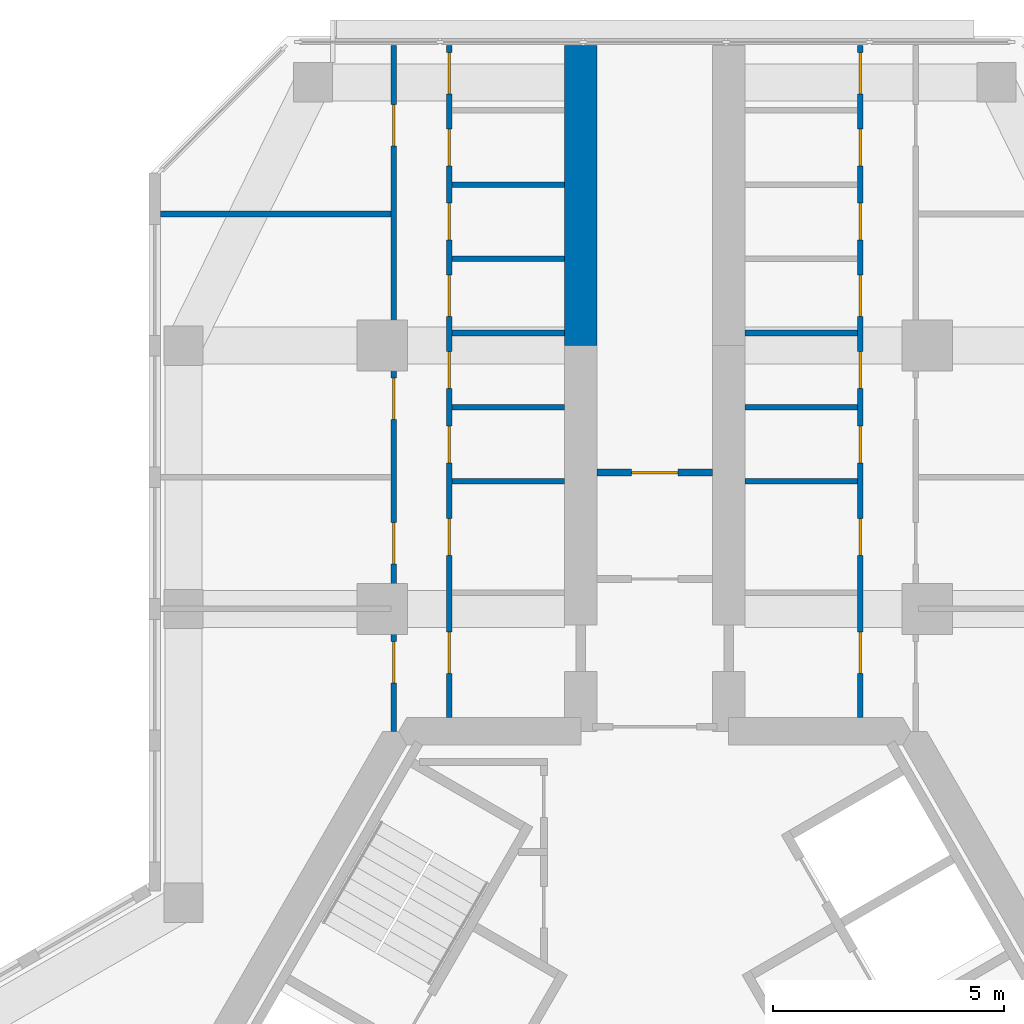
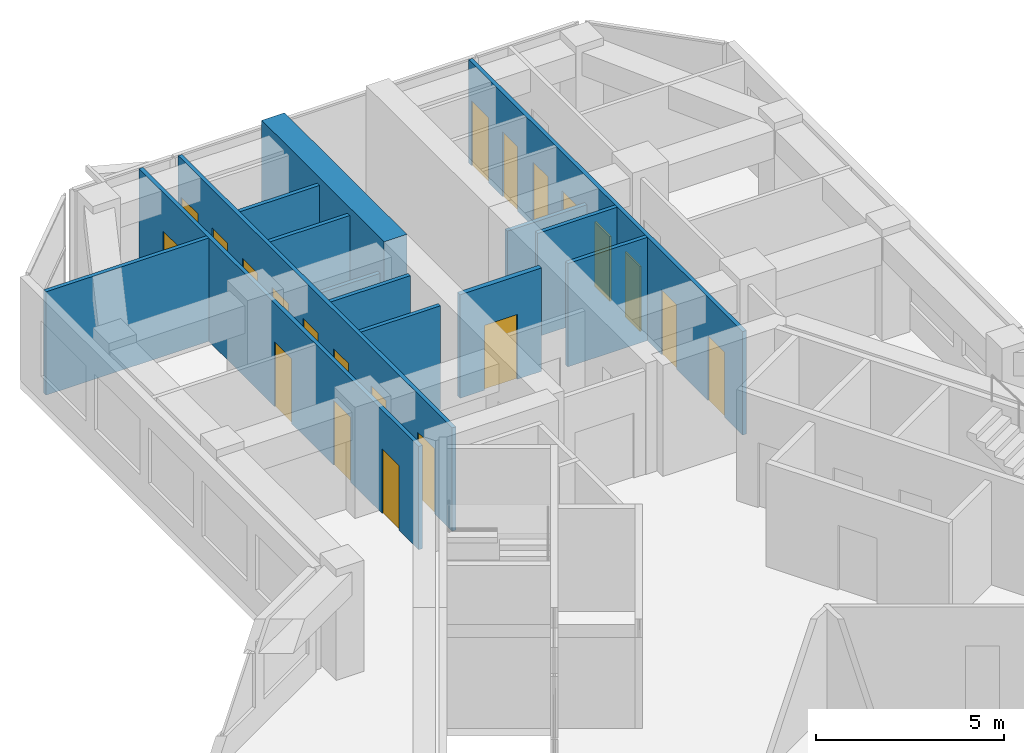
# One storey, part 14 of 16: 21 doors, 14 walls, 21 openings.
"""IFC4 building model written with IfcOpenShell, lengths in metres."""

from ifc_helpers import new_model, si_unit, direction, frame, frame_2d, origin, place, context, subcontext, project, spatial, rectangle, extrude, material, layer, layer_set, type_object, element, fill, save


model = new_model("IFC4")

# Units and contexts
model_context = context("Model", 3, precision=1e-05, world=origin(), true_north=direction((0.0, 1.0)))
body_context = subcontext(model_context, "Body", "Model", "MODEL_VIEW")
ifc_project = project(units=[si_unit("LENGTHUNIT", "METRE"), si_unit("AREAUNIT", "SQUARE_METRE"), si_unit("VOLUMEUNIT", "CUBIC_METRE"), si_unit("PLANEANGLEUNIT", "RADIAN"), si_unit("MASSUNIT", "GRAM", prefix="KILO")], contexts=[model_context])

# Site, building, storey
site_placement = place(None, origin())
site = spatial("IfcSite", under=ifc_project, at=site_placement, CompositionType="ELEMENT")
building_placement = place(site_placement, origin())
building = spatial("IfcBuilding", under=site, at=building_placement, Name="Kosmar Iwan School Tower", CompositionType="ELEMENT")
storey_placement = place(building_placement, frame((0.0, 0.0, 238.800048828125)))
storey = spatial("IfcBuildingStorey", under=building, at=storey_placement, Name="L60", CompositionType="ELEMENT", Elevation=238.800048828125)

# Wall
ifc_material_1 = material(Name="Concrete C50/60", Category="concrete")
ifc_layer_1 = layer(ifc_material_1, 0.699951171875)
ifc_layer_set_1 = layer_set([ifc_layer_1], Name="Corridor buttress wall 700")
wall_type_1 = type_object("IfcWallType", Name="Corridor buttress wall 700", PredefinedType="SHEAR", material=ifc_layer_set_1)
wall_1_placement = place(storey_placement, frame((-1.60009765625, 17.949951171875, 0.0), z_axis=(0.0, 0.0, 1.0), x_axis=(0.0, 1.0, 0.0)))
element("IfcWall", 1, at=wall_1_placement, inside=storey, type_object=wall_type_1, Name="Corridor wall AL bay 2", PredefinedType="SHEAR", context=body_context, shape_type="SweptSolid", body=[
    extrude(rectangle(XDim=6.4951171875, YDim=0.699951171875, at=frame_2d((3.24755859375, 0.0))), origin(), (0.0, 0.0, 1.0), 3.599853515625),
])

# Wall, opening, door
ifc_material_2 = material(Name="Gypsum board on steel studs, fire-rated", Category="steel")
ifc_layer_2 = layer(ifc_material_2, 0.14990234375)
ifc_layer_set_2 = layer_set([ifc_layer_2], Name="Corridor end wall 150")
wall_type_2 = type_object("IfcWallType", Name="Corridor end wall 150", PredefinedType="PARTITIONING", material=ifc_layer_set_2)
wall_2_placement = place(storey_placement, frame((1.25, 15.199951171875, 0.0), z_axis=(0.0, 0.0, 1.0), x_axis=(-1.0, 0.0, 0.0)))
wall_2 = element("IfcWall", 2, at=wall_2_placement, inside=storey, type_object=wall_type_2, Name="Partition L60-A-CE", PredefinedType="PARTITIONING", context=body_context, shape_type="SweptSolid", body=[
    extrude(rectangle(XDim=2.5, YDim=0.14990234375, at=frame_2d((1.25, 0.0))), origin(), (0.0, 0.0, 1.0), 3.349853515625),
])
opening_1_placement = place(wall_2_placement, frame((0.75, 0.0, 0.0)))
opening_1 = element("IfcOpeningElement", 3, at=opening_1_placement, cuts=wall_2, Name="Opening D13", PredefinedType="OPENING", context=body_context, shape_type="SweptSolid", body=[
    extrude(rectangle(XDim=1.0, YDim=2.10009765625, at=frame_2d((0.5, 1.050048828125))), frame((0.0, 0.0869140625, 0.0), z_axis=(0.0, -1.0, 0.0), x_axis=(1.0, 0.0, 0.0)), (0.0, 0.0, 1.0), 0.173828125),
])
ifc_material_3 = material(Name="Timber fire door with vision panel", Category="wood")
door_type_1 = type_object("IfcDoorType", Name="Corridor end door 1000x2100", OperationType="SINGLE_SWING_LEFT", PredefinedType="DOOR", material=ifc_material_3)
door_1_placement = place(opening_1_placement, origin())
door_1 = element("IfcDoor", 4, at=door_1_placement, inside=storey, type_object=door_type_1, Name="Reading room door L60-A", OperationType="SINGLE_SWING_RIGHT", OverallHeight=2.10009765625, OverallWidth=1.0, PredefinedType="DOOR", context=body_context, shape_type="SweptSolid", body=[
    extrude(rectangle(XDim=1.0, YDim=2.10009765625, at=frame_2d((0.5, 1.050048828125))), frame((0.0, 0.02490234375, 0.0), z_axis=(0.0, -1.0, 0.0), x_axis=(1.0, 0.0, 0.0)), (0.0, 0.0, 1.0), 0.050048828125),
])
fill(opening_1, door_1)

# Wall, openings, doors
ifc_material_4 = material(Name="Gypsum board on steel studs", Category="steel")
ifc_layer_3 = layer(ifc_material_4, 0.1201171875)
ifc_layer_set_3 = layer_set([ifc_layer_3], Name="Dwelling partition 120")
wall_type_3 = type_object("IfcWallType", Name="Dwelling partition 120", PredefinedType="PARTITIONING", material=ifc_layer_set_3)
wall_3_placement = place(storey_placement, frame((-4.449951171875, 9.89990234375, 0.0), z_axis=(0.0, 0.0, 1.0), x_axis=(0.0, 1.0, 0.0)))
wall_3 = element("IfcWall", 5, at=wall_3_placement, inside=storey, type_object=wall_type_3, Name="Partition L60-AL1-W1", PredefinedType="PARTITIONING", context=body_context, shape_type="SweptSolid", body=[
    extrude(rectangle(XDim=14.545166015625, YDim=0.1201171875, at=frame_2d((7.2724609375, 0.0))), origin(), (0.0, 0.0, 1.0), 3.349853515625),
])
opening_2_placement = place(wall_3_placement, frame((0.949951171875, 0.0, 0.0)))
opening_2 = element("IfcOpeningElement", 6, at=opening_2_placement, cuts=wall_3, Name="Opening D2", PredefinedType="OPENING", context=body_context, shape_type="SweptSolid", body=[
    extrude(rectangle(XDim=0.89990234375, YDim=2.10009765625, at=frame_2d((0.449951171875, 1.050048828125))), frame((0.0, 0.072021484375, 0.0), z_axis=(0.0, -1.0, 0.0), x_axis=(1.0, 0.0, 0.0)), (0.0, 0.0, 1.0), 0.14404296875),
])
opening_3_placement = place(wall_3_placement, frame((3.505126953125, 0.0, 0.0)))
opening_3 = element("IfcOpeningElement", 7, at=opening_3_placement, cuts=wall_3, Name="Opening D3", PredefinedType="OPENING", context=body_context, shape_type="SweptSolid", body=[
    extrude(rectangle(XDim=0.800048828125, YDim=2.10009765625, at=frame_2d((0.39990234375, 1.050048828125))), frame((0.0, 0.072021484375, 0.0), z_axis=(0.0, -1.0, 0.0), x_axis=(1.0, 0.0, 0.0)), (0.0, 0.0, 1.0), 0.14404296875),
])
opening_4_placement = place(wall_3_placement, frame((5.513427734375, 0.0, 0.0)))
opening_4 = element("IfcOpeningElement", 8, at=opening_4_placement, cuts=wall_3, Name="Opening D3", PredefinedType="OPENING", context=body_context, shape_type="SweptSolid", body=[
    extrude(rectangle(XDim=0.800048828125, YDim=2.10009765625, at=frame_2d((0.39990234375, 1.050048828125))), frame((0.0, 0.072021484375, 0.0), z_axis=(0.0, -1.0, 0.0), x_axis=(1.0, 0.0, 0.0)), (0.0, 0.0, 1.0), 0.14404296875),
])
opening_5_placement = place(wall_3_placement, frame((7.1201171875, 0.0, 0.0)))
opening_5 = element("IfcOpeningElement", 9, at=opening_5_placement, cuts=wall_3, Name="Opening D3", PredefinedType="OPENING", context=body_context, shape_type="SweptSolid", body=[
    extrude(rectangle(XDim=0.800048828125, YDim=2.10009765625, at=frame_2d((0.39990234375, 1.050048828125))), frame((0.0, 0.072021484375, 0.0), z_axis=(0.0, -1.0, 0.0), x_axis=(1.0, 0.0, 0.0)), (0.0, 0.0, 1.0), 0.14404296875),
])
opening_6_placement = place(wall_3_placement, frame((8.6767578125, 0.0, 0.0)))
opening_6 = element("IfcOpeningElement", 10, at=opening_6_placement, cuts=wall_3, Name="Opening D2", PredefinedType="OPENING", context=body_context, shape_type="SweptSolid", body=[
    extrude(rectangle(XDim=0.89990234375, YDim=2.10009765625, at=frame_2d((0.449951171875, 1.050048828125))), frame((0.0, 0.072021484375, 0.0), z_axis=(0.0, -1.0, 0.0), x_axis=(1.0, 0.0, 0.0)), (0.0, 0.0, 1.0), 0.14404296875),
])
opening_7_placement = place(wall_3_placement, frame((10.333251953125, 0.0, 0.0)))
opening_7 = element("IfcOpeningElement", 11, at=opening_7_placement, cuts=wall_3, Name="Opening D3", PredefinedType="OPENING", context=body_context, shape_type="SweptSolid", body=[
    extrude(rectangle(XDim=0.800048828125, YDim=2.10009765625, at=frame_2d((0.39990234375, 1.050048828125))), frame((0.0, 0.072021484375, 0.0), z_axis=(0.0, -1.0, 0.0), x_axis=(1.0, 0.0, 0.0)), (0.0, 0.0, 1.0), 0.14404296875),
])
opening_8_placement = place(wall_3_placement, frame((11.93994140625, 0.0, 0.0)))
opening_8 = element("IfcOpeningElement", 12, at=opening_8_placement, cuts=wall_3, Name="Opening D3", PredefinedType="OPENING", context=body_context, shape_type="SweptSolid", body=[
    extrude(rectangle(XDim=0.800048828125, YDim=2.10009765625, at=frame_2d((0.39990234375, 1.050048828125))), frame((0.0, 0.072021484375, 0.0), z_axis=(0.0, -1.0, 0.0), x_axis=(1.0, 0.0, 0.0)), (0.0, 0.0, 1.0), 0.14404296875),
])
opening_9_placement = place(wall_3_placement, frame((13.49658203125, 0.0, 0.0)))
opening_9 = element("IfcOpeningElement", 13, at=opening_9_placement, cuts=wall_3, Name="Opening D2", PredefinedType="OPENING", context=body_context, shape_type="SweptSolid", body=[
    extrude(rectangle(XDim=0.89990234375, YDim=2.10009765625, at=frame_2d((0.449951171875, 1.050048828125))), frame((0.0, 0.072021484375, 0.0), z_axis=(0.0, -1.0, 0.0), x_axis=(1.0, 0.0, 0.0)), (0.0, 0.0, 1.0), 0.14404296875),
])
ifc_material_5 = material(Name="Timber door in timber frame", Category="wood")
door_type_2 = type_object("IfcDoorType", Name="Internal door 900x2100", OperationType="SINGLE_SWING_LEFT", PredefinedType="DOOR", material=ifc_material_5)
door_2_placement = place(opening_2_placement, origin())
door_2 = element("IfcDoor", 14, at=door_2_placement, inside=storey, type_object=door_type_2, Name="Entrance hall door L60-AL1-S1", OperationType="SINGLE_SWING_LEFT", OverallHeight=2.10009765625, OverallWidth=0.89990234375, PredefinedType="DOOR", context=body_context, shape_type="SweptSolid", body=[
    extrude(rectangle(XDim=0.89990234375, YDim=2.10009765625, at=frame_2d((0.449951171875, 1.050048828125))), frame((0.0, 0.02490234375, 0.0), z_axis=(0.0, -1.0, 0.0), x_axis=(1.0, 0.0, 0.0)), (0.0, 0.0, 1.0), 0.050048828125),
])
fill(opening_2, door_2)
door_3_placement = place(opening_6_placement, origin())
door_3 = element("IfcDoor", 15, at=door_3_placement, inside=storey, type_object=door_type_2, Name="Pantry door L60-AL1-S5", OperationType="SINGLE_SWING_RIGHT", OverallHeight=2.10009765625, OverallWidth=0.89990234375, PredefinedType="DOOR", context=body_context, shape_type="SweptSolid", body=[
    extrude(rectangle(XDim=0.89990234375, YDim=2.10009765625, at=frame_2d((0.449951171875, 1.050048828125))), frame((0.0, 0.02490234375, 0.0), z_axis=(0.0, -1.0, 0.0), x_axis=(1.0, 0.0, 0.0)), (0.0, 0.0, 1.0), 0.050048828125),
])
fill(opening_6, door_3)
door_4_placement = place(opening_9_placement, origin())
door_4 = element("IfcDoor", 16, at=door_4_placement, inside=storey, type_object=door_type_2, Name="Utility room door L60-AL1-S8", OperationType="SINGLE_SWING_RIGHT", OverallHeight=2.10009765625, OverallWidth=0.89990234375, PredefinedType="DOOR", context=body_context, shape_type="SweptSolid", body=[
    extrude(rectangle(XDim=0.89990234375, YDim=2.10009765625, at=frame_2d((0.449951171875, 1.050048828125))), frame((0.0, 0.02490234375, 0.0), z_axis=(0.0, -1.0, 0.0), x_axis=(1.0, 0.0, 0.0)), (0.0, 0.0, 1.0), 0.050048828125),
])
fill(opening_9, door_4)
ifc_material_6 = material(Name="Timber door in timber frame", Category="wood")
door_type_3 = type_object("IfcDoorType", Name="Sanitary room door 800x2100", OperationType="SINGLE_SWING_LEFT", PredefinedType="DOOR", material=ifc_material_6)
door_5_placement = place(opening_3_placement, origin())
door_5 = element("IfcDoor", 17, at=door_5_placement, inside=storey, type_object=door_type_3, Name="Bathroom door L60-AL1-S2", OperationType="SINGLE_SWING_LEFT", OverallHeight=2.10009765625, OverallWidth=0.800048828125, PredefinedType="DOOR", context=body_context, shape_type="SweptSolid", body=[
    extrude(rectangle(XDim=0.800048828125, YDim=2.10009765625, at=frame_2d((0.39990234375, 1.050048828125))), frame((0.0, 0.02490234375, 0.0), z_axis=(0.0, -1.0, 0.0), x_axis=(1.0, 0.0, 0.0)), (0.0, 0.0, 1.0), 0.050048828125),
])
fill(opening_3, door_5)
door_6_placement = place(opening_4_placement, origin())
door_6 = element("IfcDoor", 18, at=door_6_placement, inside=storey, type_object=door_type_3, Name="Grandparents' shower room door L60-AL1-S3", OperationType="SINGLE_SWING_LEFT", OverallHeight=2.10009765625, OverallWidth=0.800048828125, PredefinedType="DOOR", context=body_context, shape_type="SweptSolid", body=[
    extrude(rectangle(XDim=0.800048828125, YDim=2.10009765625, at=frame_2d((0.39990234375, 1.050048828125))), frame((0.0, 0.02490234375, 0.0), z_axis=(0.0, -1.0, 0.0), x_axis=(1.0, 0.0, 0.0)), (0.0, 0.0, 1.0), 0.050048828125),
])
fill(opening_4, door_6)
door_7_placement = place(opening_5_placement, origin())
door_7 = element("IfcDoor", 19, at=door_7_placement, inside=storey, type_object=door_type_3, Name="Shower room door L60-AL1-S4", OperationType="SINGLE_SWING_RIGHT", OverallHeight=2.10009765625, OverallWidth=0.800048828125, PredefinedType="DOOR", context=body_context, shape_type="SweptSolid", body=[
    extrude(rectangle(XDim=0.800048828125, YDim=2.10009765625, at=frame_2d((0.39990234375, 1.050048828125))), frame((0.0, 0.02490234375, 0.0), z_axis=(0.0, -1.0, 0.0), x_axis=(1.0, 0.0, 0.0)), (0.0, 0.0, 1.0), 0.050048828125),
])
fill(opening_5, door_7)
door_8_placement = place(opening_7_placement, origin())
door_8 = element("IfcDoor", 20, at=door_8_placement, inside=storey, type_object=door_type_3, Name="WC door L60-AL1-S6", OperationType="SINGLE_SWING_RIGHT", OverallHeight=2.10009765625, OverallWidth=0.800048828125, PredefinedType="DOOR", context=body_context, shape_type="SweptSolid", body=[
    extrude(rectangle(XDim=0.800048828125, YDim=2.10009765625, at=frame_2d((0.39990234375, 1.050048828125))), frame((0.0, 0.02490234375, 0.0), z_axis=(0.0, -1.0, 0.0), x_axis=(1.0, 0.0, 0.0)), (0.0, 0.0, 1.0), 0.050048828125),
])
fill(opening_7, door_8)
door_9_placement = place(opening_8_placement, origin())
door_9 = element("IfcDoor", 21, at=door_9_placement, inside=storey, type_object=door_type_3, Name="Store door L60-AL1-S7", OperationType="SINGLE_SWING_RIGHT", OverallHeight=2.10009765625, OverallWidth=0.800048828125, PredefinedType="DOOR", context=body_context, shape_type="SweptSolid", body=[
    extrude(rectangle(XDim=0.800048828125, YDim=2.10009765625, at=frame_2d((0.39990234375, 1.050048828125))), frame((0.0, 0.02490234375, 0.0), z_axis=(0.0, -1.0, 0.0), x_axis=(1.0, 0.0, 0.0)), (0.0, 0.0, 1.0), 0.050048828125),
])
fill(opening_8, door_9)

wall_4_placement = place(storey_placement, frame((-5.64990234375, 9.60009765625, 0.0), z_axis=(0.0, 0.0, 1.0), x_axis=(0.0, 1.0, 0.0)))
wall_4 = element("IfcWall", 22, at=wall_4_placement, inside=storey, type_object=wall_type_3, Name="Partition L60-AL1-W2", PredefinedType="PARTITIONING", context=body_context, shape_type="SweptSolid", body=[
    extrude(rectangle(XDim=14.844970703125, YDim=0.1201171875, at=frame_2d((7.42236328125, 0.0))), origin(), (0.0, 0.0, 1.0), 3.349853515625),
])
opening_10_placement = place(wall_4_placement, frame((1.050048828125, 0.0, 0.0)))
opening_10 = element("IfcOpeningElement", 23, at=opening_10_placement, cuts=wall_4, Name="Opening D2", PredefinedType="OPENING", context=body_context, shape_type="SweptSolid", body=[
    extrude(rectangle(XDim=0.89990234375, YDim=2.10009765625, at=frame_2d((0.449951171875, 1.050048828125))), frame((0.0, 0.072021484375, 0.0), z_axis=(0.0, -1.0, 0.0), x_axis=(1.0, 0.0, 0.0)), (0.0, 0.0, 1.0), 0.14404296875),
])
opening_11_placement = place(wall_4_placement, frame((3.625, 0.0, 0.0)))
opening_11 = element("IfcOpeningElement", 24, at=opening_11_placement, cuts=wall_4, Name="Opening D2", PredefinedType="OPENING", context=body_context, shape_type="SweptSolid", body=[
    extrude(rectangle(XDim=0.89990234375, YDim=2.10009765625, at=frame_2d((0.449951171875, 1.050048828125))), frame((0.0, 0.072021484375, 0.0), z_axis=(0.0, -1.0, 0.0), x_axis=(1.0, 0.0, 0.0)), (0.0, 0.0, 1.0), 0.14404296875),
])
opening_12_placement = place(wall_4_placement, frame((6.75, 0.0, 0.0)))
opening_12 = element("IfcOpeningElement", 25, at=opening_12_placement, cuts=wall_4, Name="Opening D2", PredefinedType="OPENING", context=body_context, shape_type="SweptSolid", body=[
    extrude(rectangle(XDim=0.89990234375, YDim=2.10009765625, at=frame_2d((0.449951171875, 1.050048828125))), frame((0.0, 0.072021484375, 0.0), z_axis=(0.0, -1.0, 0.0), x_axis=(1.0, 0.0, 0.0)), (0.0, 0.0, 1.0), 0.14404296875),
])
opening_13_placement = place(wall_4_placement, frame((12.675048828125, 0.0, 0.0)))
opening_13 = element("IfcOpeningElement", 26, at=opening_13_placement, cuts=wall_4, Name="Opening D2", PredefinedType="OPENING", context=body_context, shape_type="SweptSolid", body=[
    extrude(rectangle(XDim=0.89990234375, YDim=2.10009765625, at=frame_2d((0.449951171875, 1.050048828125))), frame((0.0, 0.072021484375, 0.0), z_axis=(0.0, -1.0, 0.0), x_axis=(1.0, 0.0, 0.0)), (0.0, 0.0, 1.0), 0.14404296875),
])
door_10_placement = place(opening_10_placement, origin())
door_10 = element("IfcDoor", 27, at=door_10_placement, inside=storey, type_object=door_type_2, Name="Bedroom 1 door L60-AL1-F1", OperationType="SINGLE_SWING_LEFT", OverallHeight=2.10009765625, OverallWidth=0.89990234375, PredefinedType="DOOR", context=body_context, shape_type="SweptSolid", body=[
    extrude(rectangle(XDim=0.89990234375, YDim=2.10009765625, at=frame_2d((0.449951171875, 1.050048828125))), frame((0.0, 0.02490234375, 0.0), z_axis=(0.0, -1.0, 0.0), x_axis=(1.0, 0.0, 0.0)), (0.0, 0.0, 1.0), 0.050048828125),
])
fill(opening_10, door_10)
door_11_placement = place(opening_11_placement, origin())
door_11 = element("IfcDoor", 28, at=door_11_placement, inside=storey, type_object=door_type_2, Name="Study door L60-AL1-F2", OperationType="SINGLE_SWING_LEFT", OverallHeight=2.10009765625, OverallWidth=0.89990234375, PredefinedType="DOOR", context=body_context, shape_type="SweptSolid", body=[
    extrude(rectangle(XDim=0.89990234375, YDim=2.10009765625, at=frame_2d((0.449951171875, 1.050048828125))), frame((0.0, 0.02490234375, 0.0), z_axis=(0.0, -1.0, 0.0), x_axis=(1.0, 0.0, 0.0)), (0.0, 0.0, 1.0), 0.050048828125),
])
fill(opening_11, door_11)
door_12_placement = place(opening_12_placement, origin())
door_12 = element("IfcDoor", 29, at=door_12_placement, inside=storey, type_object=door_type_2, Name="Living room and kitchen door L60-AL1-F3", OperationType="SINGLE_SWING_LEFT", OverallHeight=2.10009765625, OverallWidth=0.89990234375, PredefinedType="DOOR", context=body_context, shape_type="SweptSolid", body=[
    extrude(rectangle(XDim=0.89990234375, YDim=2.10009765625, at=frame_2d((0.449951171875, 1.050048828125))), frame((0.0, 0.02490234375, 0.0), z_axis=(0.0, -1.0, 0.0), x_axis=(1.0, 0.0, 0.0)), (0.0, 0.0, 1.0), 0.050048828125),
])
fill(opening_12, door_12)
door_13_placement = place(opening_13_placement, origin())
door_13 = element("IfcDoor", 30, at=door_13_placement, inside=storey, type_object=door_type_2, Name="Grandparents' suite door L60-AL1-F4", OperationType="SINGLE_SWING_RIGHT", OverallHeight=2.10009765625, OverallWidth=0.89990234375, PredefinedType="DOOR", context=body_context, shape_type="SweptSolid", body=[
    extrude(rectangle(XDim=0.89990234375, YDim=2.10009765625, at=frame_2d((0.449951171875, 1.050048828125))), frame((0.0, 0.02490234375, 0.0), z_axis=(0.0, -1.0, 0.0), x_axis=(1.0, 0.0, 0.0)), (0.0, 0.0, 1.0), 0.050048828125),
])
fill(opening_13, door_13)

# Walls
wall_5_placement = place(storey_placement, frame((-5.7099609375, 20.800048828125, 0.0), z_axis=(0.0, 0.0, 1.0), x_axis=(-1.0, 0.0, 0.0)))
element("IfcWall", 31, at=wall_5_placement, inside=storey, type_object=wall_type_3, Name="Partition L60-AL1-X3", PredefinedType="PARTITIONING", context=body_context, shape_type="SweptSolid", body=[
    extrude(rectangle(XDim=4.989990234375, YDim=0.1201171875, at=frame_2d((2.4951171875, 0.0))), origin(), (0.0, 0.0, 1.0), 3.349853515625),
])
for number, where, z_axis, x_axis, name in (
    (32, (-1.949951171875, 15.010009765625, 0.0), (0.0, 0.0, 1.0), (-1.0, 0.0, 0.0), "Partition L60-AL1-Y2"),
    (33, (-1.949951171875, 16.61669921875, 0.0), (0.0, 0.0, 1.0), (-1.0, 0.0, 0.0), "Partition L60-AL1-Y3"),
):
    element("IfcWall", number, at=place(storey_placement, frame(where, z_axis=z_axis, x_axis=x_axis)), inside=storey, type_object=wall_type_3, Name=name, PredefinedType="PARTITIONING", context=body_context, shape_type="SweptSolid", body=[
        extrude(rectangle(XDim=2.43994140625, YDim=0.1201171875, at=frame_2d((1.219970703125, 0.0))), origin(), (0.0, 0.0, 1.0), 3.349853515625),
    ])
wall_6_placement = place(storey_placement, frame((-1.949951171875, 18.223388671875, 0.0), z_axis=(0.0, 0.0, 1.0), x_axis=(-1.0, 0.0, 0.0)))
element("IfcWall", 34, at=wall_6_placement, inside=storey, type_object=wall_type_3, Name="Partition L60-AL1-Y4", PredefinedType="PARTITIONING", context=body_context, shape_type="SweptSolid", body=[
    extrude(rectangle(XDim=2.43994140625, YDim=0.1201171875, at=frame_2d((1.219970703125, 0.0))), origin(), (0.0, 0.0, 1.0), 2.449951171875),
])
for number, where, z_axis, x_axis, name in (
    (35, (-1.949951171875, 19.830078125, 0.0), (0.0, 0.0, 1.0), (-1.0, 0.0, 0.0), "Partition L60-AL1-Y5"),
    (36, (-1.949951171875, 21.436767578125, 0.0), (0.0, 0.0, 1.0), (-1.0, 0.0, 0.0), "Partition L60-AL1-Y6"),
):
    element("IfcWall", number, at=place(storey_placement, frame(where, z_axis=z_axis, x_axis=x_axis)), inside=storey, type_object=wall_type_3, Name=name, PredefinedType="PARTITIONING", context=body_context, shape_type="SweptSolid", body=[
        extrude(rectangle(XDim=2.43994140625, YDim=0.1201171875, at=frame_2d((1.219970703125, 0.0))), origin(), (0.0, 0.0, 1.0), 3.349853515625),
    ])

# Wall, openings, doors
wall_7_placement = place(storey_placement, frame((4.449951171875, 9.89990234375, 0.0), z_axis=(0.0, 0.0, 1.0), x_axis=(0.0, 1.0, 0.0)))
wall_7 = element("IfcWall", 37, at=wall_7_placement, inside=storey, type_object=wall_type_3, Name="Partition L60-AR1-W1", PredefinedType="PARTITIONING", context=body_context, shape_type="SweptSolid", body=[
    extrude(rectangle(XDim=14.545166015625, YDim=0.1201171875, at=frame_2d((7.2724609375, 0.0))), origin(), (0.0, 0.0, 1.0), 3.349853515625),
])
opening_14_placement = place(wall_7_placement, frame((0.949951171875, 0.0, 0.0)))
opening_14 = element("IfcOpeningElement", 38, at=opening_14_placement, cuts=wall_7, Name="Opening D2", PredefinedType="OPENING", context=body_context, shape_type="SweptSolid", body=[
    extrude(rectangle(XDim=0.89990234375, YDim=2.10009765625, at=frame_2d((0.449951171875, 1.050048828125))), frame((0.0, 0.072021484375, 0.0), z_axis=(0.0, -1.0, 0.0), x_axis=(1.0, 0.0, 0.0)), (0.0, 0.0, 1.0), 0.14404296875),
])
opening_15_placement = place(wall_7_placement, frame((3.505126953125, 0.0, 0.0)))
opening_15 = element("IfcOpeningElement", 39, at=opening_15_placement, cuts=wall_7, Name="Opening D3", PredefinedType="OPENING", context=body_context, shape_type="SweptSolid", body=[
    extrude(rectangle(XDim=0.800048828125, YDim=2.10009765625, at=frame_2d((0.39990234375, 1.050048828125))), frame((0.0, 0.072021484375, 0.0), z_axis=(0.0, -1.0, 0.0), x_axis=(1.0, 0.0, 0.0)), (0.0, 0.0, 1.0), 0.14404296875),
])
opening_16_placement = place(wall_7_placement, frame((5.513427734375, 0.0, 0.0)))
opening_16 = element("IfcOpeningElement", 40, at=opening_16_placement, cuts=wall_7, Name="Opening D3", PredefinedType="OPENING", context=body_context, shape_type="SweptSolid", body=[
    extrude(rectangle(XDim=0.800048828125, YDim=2.10009765625, at=frame_2d((0.39990234375, 1.050048828125))), frame((0.0, 0.072021484375, 0.0), z_axis=(0.0, -1.0, 0.0), x_axis=(1.0, 0.0, 0.0)), (0.0, 0.0, 1.0), 0.14404296875),
])
opening_17_placement = place(wall_7_placement, frame((7.1201171875, 0.0, 0.0)))
opening_17 = element("IfcOpeningElement", 41, at=opening_17_placement, cuts=wall_7, Name="Opening D3", PredefinedType="OPENING", context=body_context, shape_type="SweptSolid", body=[
    extrude(rectangle(XDim=0.800048828125, YDim=2.10009765625, at=frame_2d((0.39990234375, 1.050048828125))), frame((0.0, 0.072021484375, 0.0), z_axis=(0.0, -1.0, 0.0), x_axis=(1.0, 0.0, 0.0)), (0.0, 0.0, 1.0), 0.14404296875),
])
opening_18_placement = place(wall_7_placement, frame((8.6767578125, 0.0, 0.0)))
opening_18 = element("IfcOpeningElement", 42, at=opening_18_placement, cuts=wall_7, Name="Opening D2", PredefinedType="OPENING", context=body_context, shape_type="SweptSolid", body=[
    extrude(rectangle(XDim=0.89990234375, YDim=2.10009765625, at=frame_2d((0.449951171875, 1.050048828125))), frame((0.0, 0.072021484375, 0.0), z_axis=(0.0, -1.0, 0.0), x_axis=(1.0, 0.0, 0.0)), (0.0, 0.0, 1.0), 0.14404296875),
])
opening_19_placement = place(wall_7_placement, frame((10.333251953125, 0.0, 0.0)))
opening_19 = element("IfcOpeningElement", 43, at=opening_19_placement, cuts=wall_7, Name="Opening D3", PredefinedType="OPENING", context=body_context, shape_type="SweptSolid", body=[
    extrude(rectangle(XDim=0.800048828125, YDim=2.10009765625, at=frame_2d((0.39990234375, 1.050048828125))), frame((0.0, 0.072021484375, 0.0), z_axis=(0.0, -1.0, 0.0), x_axis=(1.0, 0.0, 0.0)), (0.0, 0.0, 1.0), 0.14404296875),
])
opening_20_placement = place(wall_7_placement, frame((11.93994140625, 0.0, 0.0)))
opening_20 = element("IfcOpeningElement", 44, at=opening_20_placement, cuts=wall_7, Name="Opening D3", PredefinedType="OPENING", context=body_context, shape_type="SweptSolid", body=[
    extrude(rectangle(XDim=0.800048828125, YDim=2.10009765625, at=frame_2d((0.39990234375, 1.050048828125))), frame((0.0, 0.072021484375, 0.0), z_axis=(0.0, -1.0, 0.0), x_axis=(1.0, 0.0, 0.0)), (0.0, 0.0, 1.0), 0.14404296875),
])
opening_21_placement = place(wall_7_placement, frame((13.49658203125, 0.0, 0.0)))
opening_21 = element("IfcOpeningElement", 45, at=opening_21_placement, cuts=wall_7, Name="Opening D2", PredefinedType="OPENING", context=body_context, shape_type="SweptSolid", body=[
    extrude(rectangle(XDim=0.89990234375, YDim=2.10009765625, at=frame_2d((0.449951171875, 1.050048828125))), frame((0.0, 0.072021484375, 0.0), z_axis=(0.0, -1.0, 0.0), x_axis=(1.0, 0.0, 0.0)), (0.0, 0.0, 1.0), 0.14404296875),
])
door_14_placement = place(opening_14_placement, origin())
door_14 = element("IfcDoor", 46, at=door_14_placement, inside=storey, type_object=door_type_2, Name="Entrance hall door L60-AR1-S1", OperationType="SINGLE_SWING_RIGHT", OverallHeight=2.10009765625, OverallWidth=0.89990234375, PredefinedType="DOOR", context=body_context, shape_type="SweptSolid", body=[
    extrude(rectangle(XDim=0.89990234375, YDim=2.10009765625, at=frame_2d((0.449951171875, 1.050048828125))), frame((0.0, 0.02490234375, 0.0), z_axis=(0.0, -1.0, 0.0), x_axis=(1.0, 0.0, 0.0)), (0.0, 0.0, 1.0), 0.050048828125),
])
fill(opening_14, door_14)
door_15_placement = place(opening_18_placement, origin())
door_15 = element("IfcDoor", 47, at=door_15_placement, inside=storey, type_object=door_type_2, Name="Pantry door L60-AR1-S5", OperationType="SINGLE_SWING_RIGHT", OverallHeight=2.10009765625, OverallWidth=0.89990234375, PredefinedType="DOOR", context=body_context, shape_type="SweptSolid", body=[
    extrude(rectangle(XDim=0.89990234375, YDim=2.10009765625, at=frame_2d((0.449951171875, 1.050048828125))), frame((0.0, 0.02490234375, 0.0), z_axis=(0.0, -1.0, 0.0), x_axis=(1.0, 0.0, 0.0)), (0.0, 0.0, 1.0), 0.050048828125),
])
fill(opening_18, door_15)
door_16_placement = place(opening_21_placement, origin())
door_16 = element("IfcDoor", 48, at=door_16_placement, inside=storey, type_object=door_type_2, Name="Utility room door L60-AR1-S8", OperationType="SINGLE_SWING_RIGHT", OverallHeight=2.10009765625, OverallWidth=0.89990234375, PredefinedType="DOOR", context=body_context, shape_type="SweptSolid", body=[
    extrude(rectangle(XDim=0.89990234375, YDim=2.10009765625, at=frame_2d((0.449951171875, 1.050048828125))), frame((0.0, 0.02490234375, 0.0), z_axis=(0.0, -1.0, 0.0), x_axis=(1.0, 0.0, 0.0)), (0.0, 0.0, 1.0), 0.050048828125),
])
fill(opening_21, door_16)
door_17_placement = place(opening_15_placement, origin())
door_17 = element("IfcDoor", 49, at=door_17_placement, inside=storey, type_object=door_type_3, Name="Bathroom door L60-AR1-S2", OperationType="SINGLE_SWING_LEFT", OverallHeight=2.10009765625, OverallWidth=0.800048828125, PredefinedType="DOOR", context=body_context, shape_type="SweptSolid", body=[
    extrude(rectangle(XDim=0.800048828125, YDim=2.10009765625, at=frame_2d((0.39990234375, 1.050048828125))), frame((0.0, 0.02490234375, 0.0), z_axis=(0.0, -1.0, 0.0), x_axis=(1.0, 0.0, 0.0)), (0.0, 0.0, 1.0), 0.050048828125),
])
fill(opening_15, door_17)
door_18_placement = place(opening_16_placement, origin())
door_18 = element("IfcDoor", 50, at=door_18_placement, inside=storey, type_object=door_type_3, Name="Grandparents' shower room door L60-AR1-S3", OperationType="SINGLE_SWING_RIGHT", OverallHeight=2.10009765625, OverallWidth=0.800048828125, PredefinedType="DOOR", context=body_context, shape_type="SweptSolid", body=[
    extrude(rectangle(XDim=0.800048828125, YDim=2.10009765625, at=frame_2d((0.39990234375, 1.050048828125))), frame((0.0, 0.02490234375, 0.0), z_axis=(0.0, -1.0, 0.0), x_axis=(1.0, 0.0, 0.0)), (0.0, 0.0, 1.0), 0.050048828125),
])
fill(opening_16, door_18)
door_19_placement = place(opening_17_placement, origin())
door_19 = element("IfcDoor", 51, at=door_19_placement, inside=storey, type_object=door_type_3, Name="Shower room door L60-AR1-S4", OperationType="SINGLE_SWING_LEFT", OverallHeight=2.10009765625, OverallWidth=0.800048828125, PredefinedType="DOOR", context=body_context, shape_type="SweptSolid", body=[
    extrude(rectangle(XDim=0.800048828125, YDim=2.10009765625, at=frame_2d((0.39990234375, 1.050048828125))), frame((0.0, 0.02490234375, 0.0), z_axis=(0.0, -1.0, 0.0), x_axis=(1.0, 0.0, 0.0)), (0.0, 0.0, 1.0), 0.050048828125),
])
fill(opening_17, door_19)
door_20_placement = place(opening_19_placement, origin())
door_20 = element("IfcDoor", 52, at=door_20_placement, inside=storey, type_object=door_type_3, Name="WC door L60-AR1-S6", OperationType="SINGLE_SWING_LEFT", OverallHeight=2.10009765625, OverallWidth=0.800048828125, PredefinedType="DOOR", context=body_context, shape_type="SweptSolid", body=[
    extrude(rectangle(XDim=0.800048828125, YDim=2.10009765625, at=frame_2d((0.39990234375, 1.050048828125))), frame((0.0, 0.02490234375, 0.0), z_axis=(0.0, -1.0, 0.0), x_axis=(1.0, 0.0, 0.0)), (0.0, 0.0, 1.0), 0.050048828125),
])
fill(opening_19, door_20)
door_21_placement = place(opening_20_placement, origin())
door_21 = element("IfcDoor", 53, at=door_21_placement, inside=storey, type_object=door_type_3, Name="Store door L60-AR1-S7", OperationType="SINGLE_SWING_RIGHT", OverallHeight=2.10009765625, OverallWidth=0.800048828125, PredefinedType="DOOR", context=body_context, shape_type="SweptSolid", body=[
    extrude(rectangle(XDim=0.800048828125, YDim=2.10009765625, at=frame_2d((0.39990234375, 1.050048828125))), frame((0.0, 0.02490234375, 0.0), z_axis=(0.0, -1.0, 0.0), x_axis=(1.0, 0.0, 0.0)), (0.0, 0.0, 1.0), 0.050048828125),
])
fill(opening_20, door_21)

# Walls
for number, where, z_axis, x_axis, name in (
    (54, (1.949951171875, 15.010009765625, 0.0), (0.0, 0.0, 1.0), (1.0, 0.0, 0.0), "Partition L60-AR1-Y2"),
    (55, (1.949951171875, 16.61669921875, 0.0), (0.0, 0.0, 1.0), (1.0, 0.0, 0.0), "Partition L60-AR1-Y3"),
):
    element("IfcWall", number, at=place(storey_placement, frame(where, z_axis=z_axis, x_axis=x_axis)), inside=storey, type_object=wall_type_3, Name=name, PredefinedType="PARTITIONING", context=body_context, shape_type="SweptSolid", body=[
        extrude(rectangle(XDim=2.43994140625, YDim=0.1201171875, at=frame_2d((1.219970703125, 0.0))), origin(), (0.0, 0.0, 1.0), 3.349853515625),
    ])
wall_8_placement = place(storey_placement, frame((1.949951171875, 18.223388671875, 0.0), z_axis=(0.0, 0.0, 1.0), x_axis=(1.0, 0.0, 0.0)))
element("IfcWall", 56, at=wall_8_placement, inside=storey, type_object=wall_type_3, Name="Partition L60-AR1-Y4", PredefinedType="PARTITIONING", context=body_context, shape_type="SweptSolid", body=[
    extrude(rectangle(XDim=2.43994140625, YDim=0.1201171875, at=frame_2d((1.219970703125, 0.0))), origin(), (0.0, 0.0, 1.0), 2.449951171875),
])

save(model, "model.ifc")
